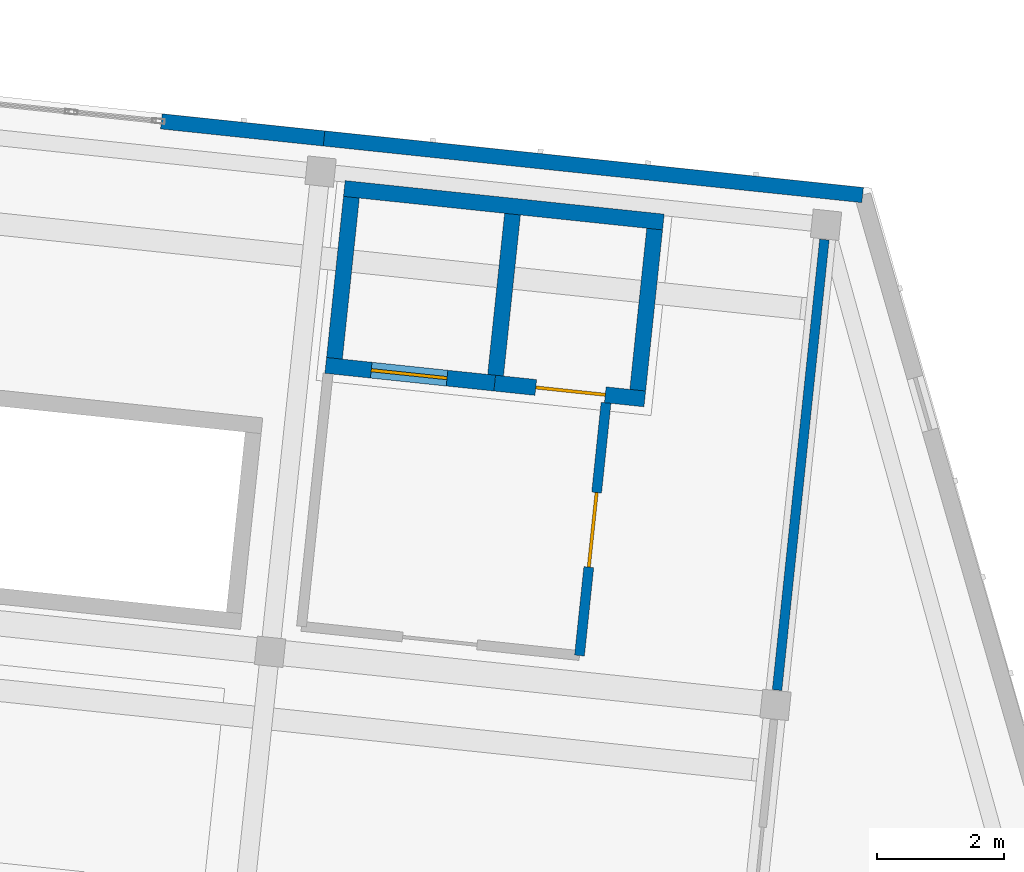
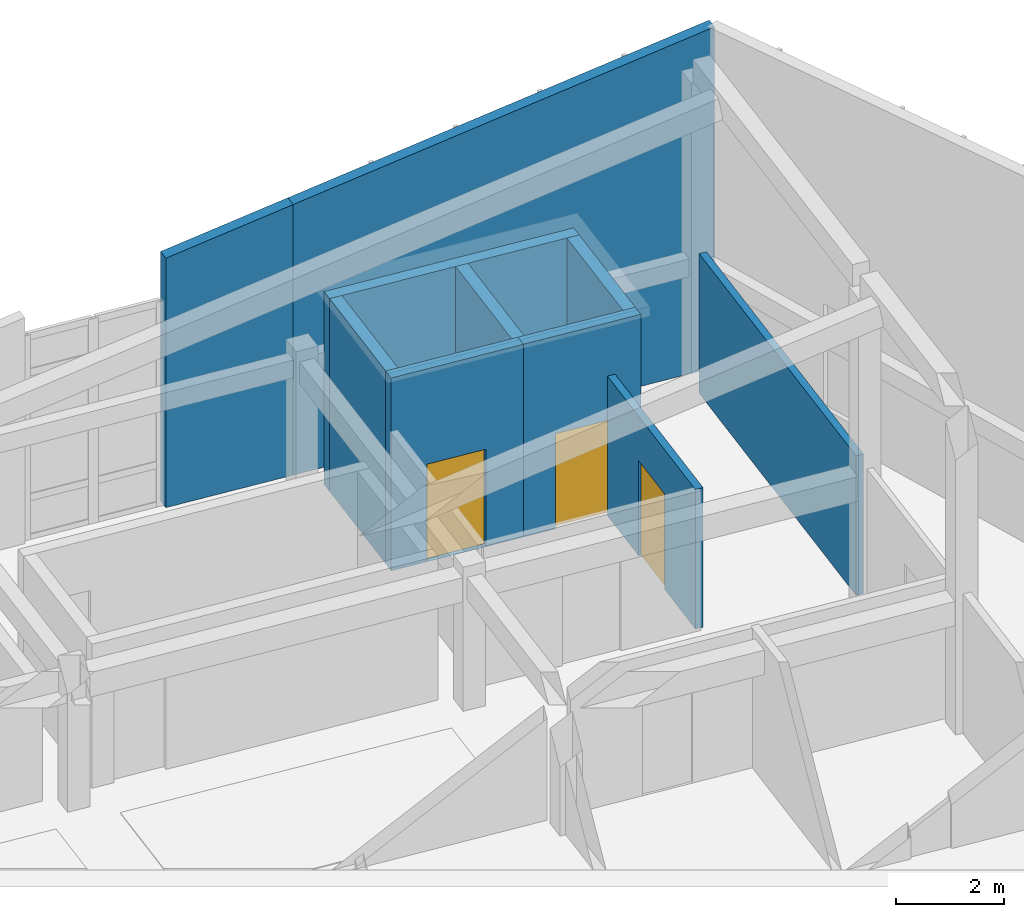
# One storey, part 19 of 31: 10 walls, 3 doors, 3 openings.
"""IFC4 building model written with IfcOpenShell, lengths in metres."""

from ifc_helpers import new_model, si_unit, direction, frame, frame_2d, origin, place, context, subcontext, project, spatial, polyline, rectangle, outline, extrude, material, layer, layer_set, type_object, element, fill, save


model = new_model("IFC4")

# Units and contexts
model_context = context("Model", 3, precision=1e-05, world=origin(), true_north=direction((0.0, 1.0)))
body_context = subcontext(model_context, "Body", "Model", "MODEL_VIEW")
ifc_project = project(units=[si_unit("LENGTHUNIT", "METRE"), si_unit("AREAUNIT", "SQUARE_METRE"), si_unit("VOLUMEUNIT", "CUBIC_METRE"), si_unit("PLANEANGLEUNIT", "RADIAN"), si_unit("MASSUNIT", "GRAM", prefix="KILO")], contexts=[model_context])

# Site, building, storey
site_placement = place(None, origin())
site = spatial("IfcSite", under=ifc_project, at=site_placement, CompositionType="ELEMENT")
building_placement = place(site_placement, origin())
building = spatial("IfcBuilding", under=site, at=building_placement, Name="Kestramere Prow Commons", CompositionType="ELEMENT")
storey_placement = place(building_placement, frame((0.0, 0.0, 37.64990234375)))
storey = spatial("IfcBuildingStorey", under=building, at=storey_placement, Name="L11", CompositionType="ELEMENT", Elevation=37.64990234375)

# Walls
ifc_material_1 = material(Name="Fluoropolymer Standing-Seam Zinc-Aluminium Cladding", Category="aluminium")
ifc_layer_1 = layer(ifc_material_1, 0.239990234375)
ifc_layer_set_1 = layer_set([ifc_layer_1], Name="Fluoropolymer Standing-Seam Zinc-Aluminium Cladding")
wall_type_1 = type_object("IfcWallType", Name="EW-SEAM-240", PredefinedType="SOLIDWALL", material=ifc_layer_set_1)
wall_1_placement = place(storey_placement, frame((149.32373046875, 110.90283203125, 0.0), z_axis=(0.0, 0.0, 1.0), x_axis=(0.99451635776, -0.104581136677, 0.0)))
element("IfcWall", 1, at=wall_1_placement, inside=storey, type_object=wall_type_1, Name="Block B L11 North Standing-Seam Pier 5R", PredefinedType="SOLIDWALL", context=body_context, shape_type="SweptSolid", body=[
    extrude(outline(polyline([(0.0, 0.0), (2.574951171875, 0.0), (2.574951171875, 6.10400390625), (0.0, 5.6259765625), (0.0, 0.0)])), frame((0.0, 0.1201171875, 0.0), z_axis=(0.0, -1.0, 0.0), x_axis=(1.0, 0.0, 0.0)), (0.0, 0.0, 1.0), 0.239990234375),
])
wall_2_placement = place(storey_placement, frame((151.884521484375, 110.633544921875, 0.0), z_axis=(0.0, 0.0, 1.0), x_axis=(0.994521760736, -0.104529744196, 0.0)))
element("IfcWall", 2, at=wall_2_placement, inside=storey, type_object=wall_type_1, Name="Block B L11 North Standing-Seam Wall 6", PredefinedType="SOLIDWALL", context=body_context, shape_type="SweptSolid", body=[
    extrude(outline(polyline([(0.0, 0.0), (8.52490234375, 0.0), (8.52490234375, 7.685791015625), (0.0, 6.10400390625), (0.0, 0.0)])), frame((0.0, 0.1201171875, 0.0), z_axis=(0.0, -1.0, 0.0), x_axis=(1.0, 0.0, 0.0)), (0.0, 0.0, 1.0), 0.239990234375),
])
ifc_material_2 = material(Name="Concrete C40/50", Category="concrete")
ifc_layer_2 = layer(ifc_material_2, 0.25)
ifc_layer_set_2 = layer_set([ifc_layer_2], Name="Concrete C40/50")
wall_type_2 = type_object("IfcWallType", Name="W-CORE-250", PredefinedType="SHEAR", material=ifc_layer_set_2)
wall_3_placement = place(storey_placement, frame((152.203857421875, 109.845947265625, 0.0), z_axis=(0.0, 0.0, 1.0), x_axis=(0.994522922189, -0.104518693261, 0.0)))
element("IfcWall", 3, at=wall_3_placement, inside=storey, type_object=wall_type_2, Name="Block B L11 Lift Core Back Wall", PredefinedType="SHEAR", context=body_context, shape_type="SweptSolid", body=[
    extrude(rectangle(XDim=5.050048828125, YDim=0.25, at=frame_2d((2.52490234375, 0.0))), origin(), (0.0, 0.0, 1.0), 4.35009765625),
])

# Wall, opening, door
wall_4_placement = place(storey_placement, frame((151.9111328125, 107.061279296875, 0.0), z_axis=(0.0, 0.0, 1.0), x_axis=(0.994524939068, -0.104499500343, 0.0)))
wall_4 = element("IfcWall", 4, at=wall_4_placement, inside=storey, type_object=wall_type_2, Name="Block B L11 Fire Lift Shaft Front Wall", PredefinedType="SHEAR", context=body_context, shape_type="SweptSolid", body=[
    extrude(rectangle(XDim=2.675048828125, YDim=0.25, at=frame_2d((1.33740234375, 0.0))), origin(), (0.0, 0.0, 1.0), 4.35009765625),
])
opening_1_placement = place(wall_4_placement, frame((0.719970703125, 0.0, 0.0)))
opening_1 = element("IfcOpeningElement", 5, at=opening_1_placement, cuts=wall_4, Name="Opening LD-02", PredefinedType="OPENING", context=body_context, shape_type="SweptSolid", body=[
    extrude(rectangle(XDim=1.199951171875, YDim=2.199951171875, at=frame_2d((0.60009765625, 1.10009765625))), frame((0.0, 0.139892578125, 0.0), z_axis=(0.0, -1.0, 0.0), x_axis=(1.0, 0.0, 0.0)), (0.0, 0.0, 1.0), 0.280029296875),
])
ifc_material_3 = material(Name="Brushed Stainless Steel 316", Category="steel")
door_type_1 = type_object("IfcDoorType", Name="LD-02", OperationType="DOUBLE_DOOR_SLIDING", PredefinedType="DOOR", material=ifc_material_3)
door_1_placement = place(opening_1_placement, origin())
door_1 = element("IfcDoor", 6, at=door_1_placement, inside=storey, type_object=door_type_1, Name="FL-B1 L11 Lift Landing Door", OperationType="DOUBLE_DOOR_SLIDING", OverallHeight=2.199951171875, OverallWidth=1.199951171875, PredefinedType="DOOR", context=body_context, shape_type="SweptSolid", body=[
    extrude(rectangle(XDim=1.199951171875, YDim=2.199951171875, at=frame_2d((0.60009765625, 1.10009765625))), frame((0.0, 0.02490234375, 0.0), z_axis=(0.0, -1.0, 0.0), x_axis=(1.0, 0.0, 0.0)), (0.0, 0.0, 1.0), 0.050048828125),
])
fill(opening_1, door_1)

wall_5_placement = place(storey_placement, frame((154.571533203125, 106.78173828125, 0.0), z_axis=(0.0, 0.0, 1.0), x_axis=(0.994520650134, -0.1045403102, 0.0)))
wall_5 = element("IfcWall", 7, at=wall_5_placement, inside=storey, type_object=wall_type_2, Name="Block B L11 Passenger Lift Shaft Front Wall", PredefinedType="SHEAR", context=body_context, shape_type="SweptSolid", body=[
    extrude(rectangle(XDim=2.375, YDim=0.25, at=frame_2d((1.1875, 0.0))), origin(), (0.0, 0.0, 1.0), 4.35009765625),
])
opening_2_placement = place(wall_5_placement, frame((0.64990234375, 0.0, 0.0)))
opening_2 = element("IfcOpeningElement", 8, at=opening_2_placement, cuts=wall_5, Name="Opening LD-01", PredefinedType="OPENING", context=body_context, shape_type="SweptSolid", body=[
    extrude(rectangle(XDim=1.10009765625, YDim=2.14990234375, at=frame_2d((0.550048828125, 1.074951171875))), frame((0.0, 0.139892578125, 0.0), z_axis=(0.0, -1.0, 0.0), x_axis=(1.0, 0.0, 0.0)), (0.0, 0.0, 1.0), 0.280029296875),
])
ifc_material_4 = material(Name="Brushed Stainless Steel 304", Category="steel")
door_type_2 = type_object("IfcDoorType", Name="LD-01", OperationType="DOUBLE_DOOR_SLIDING", PredefinedType="DOOR", material=ifc_material_4)
door_2_placement = place(opening_2_placement, origin())
door_2 = element("IfcDoor", 9, at=door_2_placement, inside=storey, type_object=door_type_2, Name="PL-B2 L11 Lift Landing Door", OperationType="DOUBLE_DOOR_SLIDING", OverallHeight=2.14990234375, OverallWidth=1.10009765625, PredefinedType="DOOR", context=body_context, shape_type="SweptSolid", body=[
    extrude(rectangle(XDim=1.10009765625, YDim=2.14990234375, at=frame_2d((0.550048828125, 1.074951171875))), frame((0.0, 0.02490234375, 0.0), z_axis=(0.0, -1.0, 0.0), x_axis=(1.0, 0.0, 0.0)), (0.0, 0.0, 1.0), 0.050048828125),
])
fill(opening_2, door_2)

# Walls
for number, where, z_axis, x_axis, name in (
    (10, (152.048583984375, 107.172607421875, 0.0), (0.0, 0.0, 1.0), (0.104555197931, 0.994519085079, 0.0), "Block B L11 Lift Core Side Wall L"),
    (11, (154.584716796875, 106.906005859375, 0.0), (0.0, 0.0, 1.0), (0.104555197931, 0.994519085079, 0.0), "Block B L11 Lift Core Side Wall M"),
):
    element("IfcWall", number, at=place(storey_placement, frame(where, z_axis=z_axis, x_axis=x_axis)), inside=storey, type_object=wall_type_2, Name=name, PredefinedType="SHEAR", context=body_context, shape_type="SweptSolid", body=[
        extrude(rectangle(XDim=2.5498046875, YDim=0.25, at=frame_2d((1.27490234375, 0.0))), origin(), (0.0, 0.0, 1.0), 4.35009765625),
    ])
wall_6_placement = place(storey_placement, frame((156.822265625, 106.670654296875, 0.0), z_axis=(0.0, 0.0, 1.0), x_axis=(0.104545242946, 0.99452013161, 0.0)))
element("IfcWall", 12, at=wall_6_placement, inside=storey, type_object=wall_type_2, Name="Block B L11 Lift Core Side Wall R", PredefinedType="SHEAR", context=body_context, shape_type="SweptSolid", body=[
    extrude(rectangle(XDim=2.550048828125, YDim=0.25, at=frame_2d((1.27490234375, 0.0))), origin(), (0.0, 0.0, 1.0), 4.35009765625),
])

# Wall, opening, door
ifc_material_5 = material(Name="Fire-Rated Calcium Silicate Wall")
ifc_layer_3 = layer(ifc_material_5, 0.155029296875)
ifc_layer_set_3 = layer_set([ifc_layer_3], Name="Fire-Rated Calcium Silicate Wall")
wall_type_3 = type_object("IfcWallType", Name="W-FIRE-150", PredefinedType="PARTITIONING", material=ifc_layer_set_3)
wall_7_placement = place(storey_placement, frame((155.90576171875, 102.49365234375, 0.0), z_axis=(0.0, 0.0, 1.0), x_axis=(0.104494148666, 0.99452550138, 0.0)))
wall_7 = element("IfcWall", 13, at=wall_7_placement, inside=storey, type_object=wall_type_3, Name="Interior Partition PW-B-L11-FFL-E", PredefinedType="PARTITIONING", context=body_context, shape_type="SweptSolid", body=[
    extrude(rectangle(XDim=4.0, YDim=0.155029296875, at=frame_2d((2.0, 0.0))), origin(), (0.0, 0.0, 1.0), 3.150146484375),
])
opening_3_placement = place(wall_7_placement, frame((1.39990234375, 0.0, 0.0)))
opening_3 = element("IfcOpeningElement", 14, at=opening_3_placement, cuts=wall_7, Name="Opening ID-03", PredefinedType="OPENING", context=body_context, shape_type="SweptSolid", body=[
    extrude(rectangle(XDim=1.179931640625, YDim=2.14990234375, at=frame_2d((0.58984375, 1.074951171875))), frame((0.0, 0.092529296875, 0.0), z_axis=(0.0, -1.0, 0.0), x_axis=(1.0, 0.0, 0.0)), (0.0, 0.0, 1.0), 0.18505859375),
])
ifc_material_6 = material(Name="Fire-Rated Glazed Smoke-Stop Door")
door_type_3 = type_object("IfcDoorType", Name="FD-LB-01", OperationType="NOTDEFINED", PredefinedType="DOOR", material=ifc_material_6)
door_3_placement = place(opening_3_placement, origin())
door_3 = element("IfcDoor", 15, at=door_3_placement, inside=storey, type_object=door_type_3, Name="Interior Door DR-B-L11-FFL-PL", OperationType="SINGLE_SWING_LEFT", OverallHeight=2.14990234375, OverallWidth=1.179931640625, PredefinedType="DOOR", context=body_context, shape_type="SweptSolid", body=[
    extrude(rectangle(XDim=1.179931640625, YDim=2.14990234375, at=frame_2d((0.58984375, 1.074951171875))), frame((0.0, 0.02490234375, 0.0), z_axis=(0.0, -1.0, 0.0), x_axis=(1.0, 0.0, 0.0)), (0.0, 0.0, 1.0), 0.050048828125),
])
fill(opening_3, door_3)

# Wall
ifc_material_7 = material(Name="Masonry Compartment Wall", Category="masonry")
ifc_layer_4 = layer(ifc_material_7, 0.14990234375)
ifc_layer_set_4 = layer_set([ifc_layer_4], Name="Masonry Compartment Wall")
wall_type_4 = type_object("IfcWallType", Name="W-PART-150", PredefinedType="PARTITIONING", material=ifc_layer_set_4)
wall_8_placement = place(storey_placement, frame((159.015869140625, 101.95068359375, 0.0), z_axis=(0.0, 0.0, 1.0), x_axis=(0.104540404715, 0.994520640199, 0.0)))
element("IfcWall", 16, at=wall_8_placement, inside=storey, type_object=wall_type_4, Name="Interior Partition PW-B-L11-PRW-N", PredefinedType="PARTITIONING", context=body_context, shape_type="SweptSolid", body=[
    extrude(rectangle(XDim=7.1298828125, YDim=0.14990234375, at=frame_2d((3.56494140625, 0.0))), origin(), (0.0, 0.0, 1.0), 3.150146484375),
])

save(model, "model.ifc")
